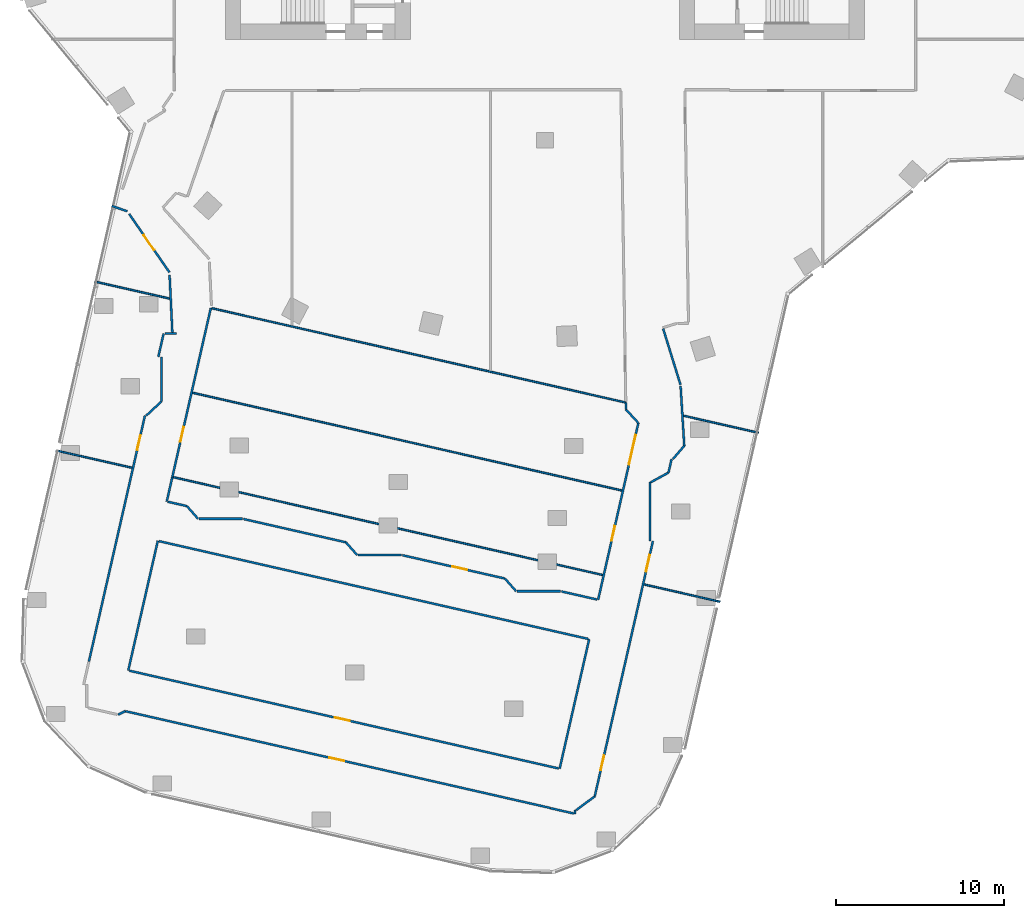
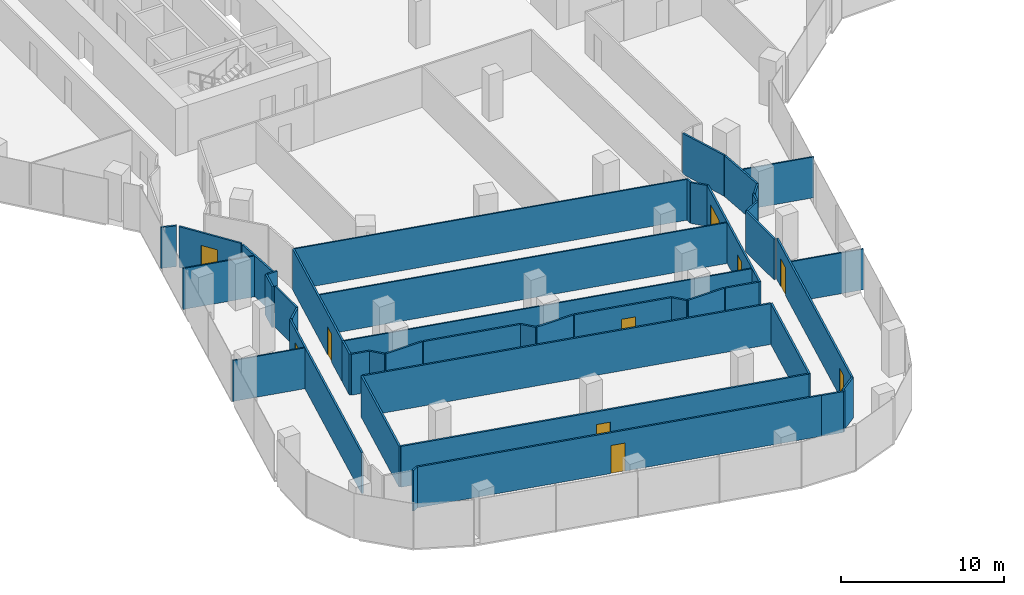
# One storey, part 18 of 24: 46 walls, 10 doors, 10 openings.
"""IFC4 building model written with IfcOpenShell, lengths in metres."""

from ifc_helpers import new_model, si_unit, direction, frame, frame_2d, origin, place, context, subcontext, project, spatial, rectangle, extrude, material, layer, layer_set, type_object, element, fill, save


model = new_model("IFC4")

# Units and contexts
model_context = context("Model", 3, precision=1e-05, world=origin(), true_north=direction((0.0, 1.0)))
body_context = subcontext(model_context, "Body", "Model", "MODEL_VIEW")
ifc_project = project(units=[si_unit("LENGTHUNIT", "METRE"), si_unit("AREAUNIT", "SQUARE_METRE"), si_unit("VOLUMEUNIT", "CUBIC_METRE"), si_unit("PLANEANGLEUNIT", "RADIAN"), si_unit("MASSUNIT", "GRAM", prefix="KILO")], contexts=[model_context])

# Site, building, storey
site_placement = place(None, origin())
site = spatial("IfcSite", under=ifc_project, at=site_placement, CompositionType="ELEMENT")
building_placement = place(site_placement, origin())
building = spatial("IfcBuilding", under=site, at=building_placement, Name="Orlundy Tower", CompositionType="ELEMENT")
storey_placement = place(building_placement, frame((0.0, 0.0, 174.10009765625)))
storey = spatial("IfcBuildingStorey", under=building, at=storey_placement, Name="L45", CompositionType="ELEMENT", Elevation=174.10009765625)

# Walls
ifc_material_1 = material(Name="Gypsum board partition")
ifc_layer_1 = layer(ifc_material_1, 0.10009765625)
ifc_layer_set_1 = layer_set([ifc_layer_1], Name="Floor partition 100")
wall_type_1 = type_object("IfcWallType", Name="Floor partition 100", PredefinedType="PARTITIONING", material=ifc_layer_set_1)
wall_1_placement = place(storey_placement, frame((-29.072998046875, -36.452880859375, 0.0), z_axis=(0.0, 0.0, 1.0), x_axis=(0.975041099452, -0.222024445455, 0.0)))
element("IfcWall", 1, at=wall_1_placement, inside=storey, type_object=wall_type_1, Name="wall-int-L45-023", PredefinedType="PARTITIONING", context=body_context, shape_type="SweptSolid", body=[
    extrude(rectangle(XDim=4.63037109375, YDim=0.10009765625, at=frame_2d((2.315185546875, 0.0))), origin(), (0.0, 0.0, 1.0), 3.059814453125),
])
wall_2_placement = place(storey_placement, frame((-22.094970703125, -38.04296875, 0.0), z_axis=(0.0, 0.0, 1.0), x_axis=(0.975023843859, -0.222100211404, 0.0)))
element("IfcWall", 2, at=wall_2_placement, inside=storey, type_object=wall_type_1, Name="wall-int-L45-024", PredefinedType="PARTITIONING", context=body_context, shape_type="SweptSolid", body=[
    extrude(rectangle(XDim=26.18603515625, YDim=0.10009765625, at=frame_2d((13.093017578125, 0.0))), origin(), (0.0, 0.0, 1.0), 3.059814453125),
])
wall_3_placement = place(storey_placement, frame((5.89990234375, -44.419921875, 0.0), z_axis=(0.0, 0.0, 1.0), x_axis=(0.975008438008, -0.222167832534, 0.0)))
element("IfcWall", 3, at=wall_3_placement, inside=storey, type_object=wall_type_1, Name="wall-int-L45-025", PredefinedType="PARTITIONING", context=body_context, shape_type="SweptSolid", body=[
    extrude(rectangle(XDim=4.6318359375, YDim=0.10009765625, at=frame_2d((2.31591796875, 0.0))), origin(), (0.0, 0.0, 1.0), 3.059814453125),
])
wall_4_placement = place(storey_placement, frame((-20.950927734375, -33.01904296875, 0.0), z_axis=(0.0, 0.0, 1.0), x_axis=(0.975025683381, -0.222092135715, 0.0)))
element("IfcWall", 4, at=wall_4_placement, inside=storey, type_object=wall_type_1, Name="wall-int-L45-026", PredefinedType="PARTITIONING", context=body_context, shape_type="SweptSolid", body=[
    extrude(rectangle(XDim=26.18701171875, YDim=0.10009765625, at=frame_2d((13.093505859375, 0.0))), origin(), (0.0, 0.0, 1.0), 3.059814453125),
])
wall_5_placement = place(storey_placement, frame((-26.783935546875, -26.404052734375, 0.0), z_axis=(0.0, 0.0, 1.0), x_axis=(0.975064044209, -0.221923657346, 0.0)))
element("IfcWall", 5, at=wall_5_placement, inside=storey, type_object=wall_type_1, Name="wall-int-L45-027", PredefinedType="PARTITIONING", context=body_context, shape_type="SweptSolid", body=[
    extrude(rectangle(XDim=4.56884765625, YDim=0.10009765625, at=frame_2d((2.284423828125, 0.0))), origin(), (0.0, 0.0, 1.0), 3.059814453125),
])
wall_6_placement = place(storey_placement, frame((-19.805908203125, -27.993896484375, 0.0), z_axis=(0.0, 0.0, 1.0), x_axis=(0.975005878079, -0.222179066769, 0.0)))
element("IfcWall", 6, at=wall_6_placement, inside=storey, type_object=wall_type_1, Name="wall-int-L45-028", PredefinedType="PARTITIONING", context=body_context, shape_type="SweptSolid", body=[
    extrude(rectangle(XDim=25.24609375, YDim=0.10009765625, at=frame_2d((12.623046875, 0.0))), origin(), (0.0, 0.0, 1.0), 3.059814453125),
])
wall_7_placement = place(storey_placement, frame((8.256103515625, -34.386962890625, 0.0), z_axis=(0.0, 0.0, 1.0), x_axis=(0.975047109618, -0.221998049597, 0.0)))
element("IfcWall", 7, at=wall_7_placement, inside=storey, type_object=wall_type_1, Name="wall-int-L45-029", PredefinedType="PARTITIONING", context=body_context, shape_type="SweptSolid", body=[
    extrude(rectangle(XDim=4.562744140625, YDim=0.10009765625, at=frame_2d((2.28125, 0.0))), origin(), (0.0, 0.0, 1.0), 3.059814453125),
])
ifc_material_2 = material(Name="Gypsum board partition, double layer")
ifc_layer_2 = layer(ifc_material_2, 0.125)
ifc_layer_set_2 = layer_set([ifc_layer_2], Name="Floor partition 125")
wall_type_2 = type_object("IfcWallType", Name="Floor partition 125", PredefinedType="PARTITIONING", material=ifc_layer_set_2)
wall_8_placement = place(storey_placement, frame((4.81298828125, -33.60205078125, 0.0), z_axis=(0.0, 0.0, 1.0), x_axis=(0.014888165056, -0.999889165128, 0.0)))
element("IfcWall", 8, at=wall_8_placement, inside=storey, type_object=wall_type_2, Name="wall-int-L45-002", PredefinedType="PARTITIONING", context=body_context, shape_type="SweptSolid", body=[
    extrude(rectangle(XDim=0.409912109375, YDim=0.125, at=frame_2d((0.205078125, 0.0))), origin(), (0.0, 0.0, 1.0), 3.059814453125),
])
wall_9_placement = place(storey_placement, frame((-22.322021484375, -26.007080078125, 0.0), z_axis=(0.0, 0.0, 1.0), x_axis=(0.048573949442, -0.998819589033, 0.0)))
element("IfcWall", 9, at=wall_9_placement, inside=storey, type_object=wall_type_2, Name="wall-int-L45-005", PredefinedType="PARTITIONING", context=body_context, shape_type="SweptSolid", body=[
    extrude(rectangle(XDim=3.43798828125, YDim=0.125, at=frame_2d((1.718994140625, 0.0))), origin(), (0.0, 0.0, 1.0), 3.059814453125),
])
wall_10_placement = place(storey_placement, frame((8.069091796875, -32.60888671875, 0.0), z_axis=(0.0, 0.0, 1.0), x_axis=(0.061565744527, -0.998103030303, 0.0)))
element("IfcWall", 10, at=wall_10_placement, inside=storey, type_object=wall_type_2, Name="wall-int-L45-007", PredefinedType="PARTITIONING", context=body_context, shape_type="SweptSolid", body=[
    extrude(rectangle(XDim=3.572998046875, YDim=0.125, at=frame_2d((1.78662109375, 0.0))), origin(), (0.0, 0.0, 1.0), 3.059814453125),
])
wall_11_placement = place(storey_placement, frame((7.033935546875, -29.2109375, 0.0), z_axis=(0.0, 0.0, 1.0), x_axis=(0.295358504145, -0.955386494582, 0.0)))
element("IfcWall", 11, at=wall_11_placement, inside=storey, type_object=wall_type_2, Name="wall-int-L45-008", PredefinedType="PARTITIONING", context=body_context, shape_type="SweptSolid", body=[
    extrude(rectangle(XDim=3.49072265625, YDim=0.125, at=frame_2d((1.745361328125, 0.0))), origin(), (0.0, 0.0, 1.0), 3.059814453125),
])

# Wall, opening, door
wall_12_placement = place(storey_placement, frame((-22.3291015625, -25.85693359375, 0.0), z_axis=(0.0, 0.0, 1.0), x_axis=(-0.567768105219, 0.823188543832, 0.0)))
wall_12 = element("IfcWall", 12, at=wall_12_placement, inside=storey, type_object=wall_type_2, Name="wall-int-L45-010", PredefinedType="PARTITIONING", context=body_context, shape_type="SweptSolid", body=[
    extrude(rectangle(XDim=4.219970703125, YDim=0.125, at=frame_2d((2.10986328125, 0.0))), origin(), (0.0, 0.0, 1.0), 3.059814453125),
])
opening_1_placement = place(wall_12_placement, frame((1.60009765625, 0.0, 0.0)))
opening_1 = element("IfcOpeningElement", 13, at=opening_1_placement, cuts=wall_12, Name="Opening 35112", PredefinedType="OPENING", context=body_context, shape_type="SweptSolid", body=[
    extrude(rectangle(XDim=1.10009765625, YDim=2.10009765625, at=frame_2d((0.550048828125, 1.050048828125))), frame((0.0, 0.072509765625, 0.0), z_axis=(0.0, -1.0, 0.0), x_axis=(1.0, 0.0, 0.0)), (0.0, 0.0, 1.0), 0.14501953125),
])
ifc_material_3 = material(Name="Timber door leaf", Category="wood")
door_type_1 = type_object("IfcDoorType", Name="Floor door xwide 1100 FD30S", OperationType="NOTDEFINED", PredefinedType="DOOR", material=ifc_material_3)
door_1_placement = place(opening_1_placement, origin())
door_1 = element("IfcDoor", 14, at=door_1_placement, inside=storey, type_object=door_type_1, Name="Door 35112", OperationType="SINGLE_SWING_RIGHT", OverallHeight=2.10009765625, OverallWidth=1.10009765625, PredefinedType="DOOR", context=body_context, shape_type="SweptSolid", body=[
    extrude(rectangle(XDim=1.10009765625, YDim=2.10009765625, at=frame_2d((0.550048828125, 1.050048828125))), frame((0.0, 0.02490234375, 0.0), z_axis=(0.0, -1.0, 0.0), x_axis=(1.0, 0.0, 0.0)), (0.0, 0.0, 1.0), 0.050048828125),
])
fill(opening_1, door_1)

# Walls
wall_13_placement = place(storey_placement, frame((-25.760009765625, -21.909912109375, 0.0), z_axis=(0.0, 0.0, 1.0), x_axis=(0.946161976611, -0.323693549544, 0.0)))
element("IfcWall", 15, at=wall_13_placement, inside=storey, type_object=wall_type_2, Name="wall-int-L45-013", PredefinedType="PARTITIONING", context=body_context, shape_type="SweptSolid", body=[
    extrude(rectangle(XDim=0.979736328125, YDim=0.125, at=frame_2d((0.48974609375, 0.0))), origin(), (0.0, 0.0, 1.0), 3.059814453125),
])
wall_14_placement = place(storey_placement, frame((0.342041015625, -57.72900390625, 0.0), z_axis=(0.0, 0.0, 1.0), x_axis=(0.975078596589, -0.22185970899, 0.0)))
element("IfcWall", 16, at=wall_14_placement, inside=storey, type_object=wall_type_2, Name="wall-int-L45-015", PredefinedType="PARTITIONING", context=body_context, shape_type="SweptSolid", body=[
    extrude(rectangle(XDim=1.4150390625, YDim=0.125, at=frame_2d((0.70751953125, 0.0))), origin(), (0.0, 0.0, 1.0), 3.059814453125),
])

# Wall, opening, door
wall_15_placement = place(storey_placement, frame((0.343994140625, -57.718994140625, 0.0), z_axis=(0.0, 0.0, 1.0), x_axis=(-0.97501877272, 0.222122472621, 0.0)))
wall_15 = element("IfcWall", 17, at=wall_15_placement, inside=storey, type_object=wall_type_2, Name="wall-int-L45-016", PredefinedType="PARTITIONING", context=body_context, shape_type="SweptSolid", body=[
    extrude(rectangle(XDim=25.94921875, YDim=0.125, at=frame_2d((12.974609375, 0.0))), origin(), (0.0, 0.0, 1.0), 3.059814453125),
])
opening_2_placement = place(wall_15_placement, frame((12.60009765625, 0.0, 0.0)))
opening_2 = element("IfcOpeningElement", 18, at=opening_2_placement, cuts=wall_15, Name="Opening 35106", PredefinedType="OPENING", context=body_context, shape_type="SweptSolid", body=[
    extrude(rectangle(XDim=0.89990234375, YDim=2.10009765625, at=frame_2d((0.449951171875, 1.050048828125))), frame((0.0, 0.072509765625, 0.0), z_axis=(0.0, -1.0, 0.0), x_axis=(1.0, 0.0, 0.0)), (0.0, 0.0, 1.0), 0.14501953125),
])
ifc_material_4 = material(Name="Timber door leaf", Category="wood")
door_type_2 = type_object("IfcDoorType", Name="Floor door single 900 FD30S", OperationType="NOTDEFINED", PredefinedType="DOOR", material=ifc_material_4)
door_2_placement = place(opening_2_placement, origin())
door_2 = element("IfcDoor", 19, at=door_2_placement, inside=storey, type_object=door_type_2, Name="Door 35106", OperationType="SINGLE_SWING_RIGHT", OverallHeight=2.10009765625, OverallWidth=0.89990234375, PredefinedType="DOOR", context=body_context, shape_type="SweptSolid", body=[
    extrude(rectangle(XDim=0.89990234375, YDim=2.10009765625, at=frame_2d((0.449951171875, 1.050048828125))), frame((0.0, 0.02490234375, 0.0), z_axis=(0.0, -1.0, 0.0), x_axis=(1.0, 0.0, 0.0)), (0.0, 0.0, 1.0), 0.050048828125),
])
fill(opening_2, door_2)

wall_16_placement = place(storey_placement, frame((-24.716064453125, -49.548095703125, 0.0), z_axis=(0.0, 0.0, 1.0), x_axis=(0.975023843859, -0.222100211404, 0.0)))
wall_16 = element("IfcWall", 20, at=wall_16_placement, inside=storey, type_object=wall_type_2, Name="wall-int-L45-017", PredefinedType="PARTITIONING", context=body_context, shape_type="SweptSolid", body=[
    extrude(rectangle(XDim=26.18603515625, YDim=0.125, at=frame_2d((13.093017578125, 0.0))), origin(), (0.0, 0.0, 1.0), 3.059814453125),
])
opening_3_placement = place(wall_16_placement, frame((12.53759765625, 0.0, 0.0)))
opening_3 = element("IfcOpeningElement", 21, at=opening_3_placement, cuts=wall_16, Name="Opening 35105", PredefinedType="OPENING", context=body_context, shape_type="SweptSolid", body=[
    extrude(rectangle(XDim=0.89990234375, YDim=2.10009765625, at=frame_2d((0.449951171875, 1.050048828125))), frame((0.0, 0.072509765625, 0.0), z_axis=(0.0, -1.0, 0.0), x_axis=(1.0, 0.0, 0.0)), (0.0, 0.0, 1.0), 0.14501953125),
])
door_3_placement = place(opening_3_placement, origin())
door_3 = element("IfcDoor", 22, at=door_3_placement, inside=storey, type_object=door_type_2, Name="Door 35105", OperationType="SINGLE_SWING_LEFT", OverallHeight=2.10009765625, OverallWidth=0.89990234375, PredefinedType="DOOR", context=body_context, shape_type="SweptSolid", body=[
    extrude(rectangle(XDim=0.89990234375, YDim=2.10009765625, at=frame_2d((0.449951171875, 1.050048828125))), frame((0.0, 0.02490234375, 0.0), z_axis=(0.0, -1.0, 0.0), x_axis=(1.0, 0.0, 0.0)), (0.0, 0.0, 1.0), 0.050048828125),
])
fill(opening_3, door_3)

# Walls
wall_17_placement = place(storey_placement, frame((-22.9609375, -41.843017578125, 0.0), z_axis=(0.0, 0.0, 1.0), x_axis=(0.975025683381, -0.222092135715, 0.0)))
element("IfcWall", 23, at=wall_17_placement, inside=storey, type_object=wall_type_2, Name="wall-int-L45-018", PredefinedType="PARTITIONING", context=body_context, shape_type="SweptSolid", body=[
    extrude(rectangle(XDim=26.18701171875, YDim=0.125, at=frame_2d((13.093505859375, 0.0))), origin(), (0.0, 0.0, 1.0), 3.059814453125),
])
wall_18_placement = place(storey_placement, frame((-22.427001953125, -39.501953125, 0.0), z_axis=(0.0, 0.0, 1.0), x_axis=(0.97511430892, -0.221702694026, 0.0)))
element("IfcWall", 24, at=wall_18_placement, inside=storey, type_object=wall_type_2, Name="wall-int-L45-019", PredefinedType="PARTITIONING", context=body_context, shape_type="SweptSolid", body=[
    extrude(rectangle(XDim=1.1640625, YDim=0.125, at=frame_2d((0.58203125, 0.0))), origin(), (0.0, 0.0, 1.0), 3.059814453125),
])
wall_19_placement = place(storey_placement, frame((-17.924072265625, -40.528076171875, 0.0), z_axis=(0.0, 0.0, 1.0), x_axis=(0.975041788435, -0.2220214197, 0.0)))
element("IfcWall", 25, at=wall_19_placement, inside=storey, type_object=wall_type_2, Name="wall-int-L45-020", PredefinedType="PARTITIONING", context=body_context, shape_type="SweptSolid", body=[
    extrude(rectangle(XDim=6.2470703125, YDim=0.125, at=frame_2d((3.12353515625, 0.0))), origin(), (0.0, 0.0, 1.0), 3.059814453125),
])

# Wall, opening, door
wall_20_placement = place(storey_placement, frame((-8.468994140625, -42.681884765625, 0.0), z_axis=(0.0, 0.0, 1.0), x_axis=(0.975048737106, -0.22199090132, 0.0)))
wall_20 = element("IfcWall", 26, at=wall_20_placement, inside=storey, type_object=wall_type_2, Name="wall-int-L45-021", PredefinedType="PARTITIONING", context=body_context, shape_type="SweptSolid", body=[
    extrude(rectangle(XDim=6.2490234375, YDim=0.125, at=frame_2d((3.12451171875, 0.0))), origin(), (0.0, 0.0, 1.0), 3.059814453125),
])
opening_4_placement = place(wall_20_placement, frame((3.03759765625, 0.0, 0.0)))
opening_4 = element("IfcOpeningElement", 27, at=opening_4_placement, cuts=wall_20, Name="Opening 35104", PredefinedType="OPENING", context=body_context, shape_type="SweptSolid", body=[
    extrude(rectangle(XDim=0.89990234375, YDim=2.10009765625, at=frame_2d((0.449951171875, 1.050048828125))), frame((0.0, 0.072509765625, 0.0), z_axis=(0.0, -1.0, 0.0), x_axis=(1.0, 0.0, 0.0)), (0.0, 0.0, 1.0), 0.14501953125),
])
door_4_placement = place(opening_4_placement, origin())
door_4 = element("IfcDoor", 28, at=door_4_placement, inside=storey, type_object=door_type_2, Name="Door 35104", OperationType="SINGLE_SWING_RIGHT", OverallHeight=2.10009765625, OverallWidth=0.89990234375, PredefinedType="DOOR", context=body_context, shape_type="SweptSolid", body=[
    extrude(rectangle(XDim=0.89990234375, YDim=2.10009765625, at=frame_2d((0.449951171875, 1.050048828125))), frame((0.0, 0.02490234375, 0.0), z_axis=(0.0, -1.0, 0.0), x_axis=(1.0, 0.0, 0.0)), (0.0, 0.0, 1.0), 0.050048828125),
])
fill(opening_4, door_4)

# Walls
wall_21_placement = place(storey_placement, frame((0.990966796875, -44.8369140625, 0.0), z_axis=(0.0, 0.0, 1.0), x_axis=(0.97505868901, -0.22194718513, 0.0)))
element("IfcWall", 29, at=wall_21_placement, inside=storey, type_object=wall_type_2, Name="wall-int-L45-022", PredefinedType="PARTITIONING", context=body_context, shape_type="SweptSolid", body=[
    extrude(rectangle(XDim=2.16796875, YDim=0.125, at=frame_2d((1.083984375, 0.0))), origin(), (0.0, 0.0, 1.0), 3.059814453125),
])
wall_22_placement = place(storey_placement, frame((1.861083984375, -57.842041015625, 0.0), z_axis=(0.0, 0.0, 1.0), x_axis=(0.803188576955, 0.595724860862, 0.0)))
element("IfcWall", 30, at=wall_22_placement, inside=storey, type_object=wall_type_2, Name="wall-int-L45-030", PredefinedType="PARTITIONING", context=body_context, shape_type="SweptSolid", body=[
    extrude(rectangle(XDim=1.373291015625, YDim=0.125, at=frame_2d((0.6865234375, 0.0))), origin(), (0.0, 0.0, 1.0), 3.059814453125),
])
wall_23_placement = place(storey_placement, frame((-1.65087890625, -44.822021484375, 0.0), z_axis=(0.0, 0.0, 1.0), x_axis=(1.0, 0.0, 0.0)))
element("IfcWall", 31, at=wall_23_placement, inside=storey, type_object=wall_type_2, Name="wall-int-L45-031", PredefinedType="PARTITIONING", context=body_context, shape_type="SweptSolid", body=[
    extrude(rectangle(XDim=2.580810546875, YDim=0.125, at=frame_2d((1.29052734375, 0.0))), origin(), (0.0, 0.0, 1.0), 3.059814453125),
])
wall_24_placement = place(storey_placement, frame((-11.10693359375, -42.6669921875, 0.0), z_axis=(0.0, 0.0, 1.0), x_axis=(1.0, 0.0, 0.0)))
element("IfcWall", 32, at=wall_24_placement, inside=storey, type_object=wall_type_2, Name="wall-int-L45-032", PredefinedType="PARTITIONING", context=body_context, shape_type="SweptSolid", body=[
    extrude(rectangle(XDim=2.576904296875, YDim=0.125, at=frame_2d((1.28857421875, 0.0))), origin(), (0.0, 0.0, 1.0), 3.059814453125),
])
wall_25_placement = place(storey_placement, frame((-20.56689453125, -40.512939453125, 0.0), z_axis=(0.0, 0.0, 1.0), x_axis=(1.0, 0.0, 0.0)))
element("IfcWall", 33, at=wall_25_placement, inside=storey, type_object=wall_type_2, Name="wall-int-L45-033", PredefinedType="PARTITIONING", context=body_context, shape_type="SweptSolid", body=[
    extrude(rectangle(XDim=2.581787109375, YDim=0.125, at=frame_2d((1.291015625, 0.0))), origin(), (0.0, 0.0, 1.0), 3.059814453125),
])
wall_26_placement = place(storey_placement, frame((6.302978515625, -38.342041015625, 0.0), z_axis=(0.0, 0.0, 1.0), x_axis=(0.877434318746, 0.479696796202, 0.0)))
element("IfcWall", 34, at=wall_26_placement, inside=storey, type_object=wall_type_2, Name="wall-int-L45-034", PredefinedType="PARTITIONING", context=body_context, shape_type="SweptSolid", body=[
    extrude(rectangle(XDim=1.194580078125, YDim=0.125, at=frame_2d((0.59716796875, 0.0))), origin(), (0.0, 0.0, 1.0), 3.059814453125),
])
wall_27_placement = place(storey_placement, frame((-23.708984375, -34.381103515625, 0.0), z_axis=(0.0, 0.0, 1.0), x_axis=(0.732207421562, 0.681081707147, 0.0)))
element("IfcWall", 35, at=wall_27_placement, inside=storey, type_object=wall_type_2, Name="wall-int-L45-035", PredefinedType="PARTITIONING", context=body_context, shape_type="SweptSolid", body=[
    extrude(rectangle(XDim=1.23193359375, YDim=0.125, at=frame_2d((0.615966796875, 0.0))), origin(), (0.0, 0.0, 1.0), 3.059814453125),
])
wall_28_placement = place(storey_placement, frame((-22.59912109375, -29.507080078125, 0.0), z_axis=(0.0, 0.0, 1.0), x_axis=(1.0, 0.0, 0.0)))
element("IfcWall", 36, at=wall_28_placement, inside=storey, type_object=wall_type_2, Name="wall-int-L45-036", PredefinedType="PARTITIONING", context=body_context, shape_type="SweptSolid", body=[
    extrude(rectangle(XDim=0.676025390625, YDim=0.125, at=frame_2d((0.337890625, 0.0))), origin(), (0.0, 0.0, 1.0), 3.059814453125),
])
wall_29_placement = place(storey_placement, frame((7.613037109375, -36.966064453125, 0.0), z_axis=(0.0, 0.0, 1.0), x_axis=(0.649689309886, 0.760199842554, 0.0)))
element("IfcWall", 37, at=wall_29_placement, inside=storey, type_object=wall_type_2, Name="wall-int-L45-049", PredefinedType="PARTITIONING", context=body_context, shape_type="SweptSolid", body=[
    extrude(rectangle(XDim=1.04052734375, YDim=0.125, at=frame_2d((0.520263671875, 0.0))), origin(), (0.0, 0.0, 1.0), 3.059814453125),
])
wall_30_placement = place(storey_placement, frame((4.820068359375, -34.012939453125, 0.0), z_axis=(0.0, 0.0, 1.0), x_axis=(0.676189811414, -0.736727452278, 0.0)))
element("IfcWall", 38, at=wall_30_placement, inside=storey, type_object=wall_type_2, Name="wall-int-L45-051", PredefinedType="PARTITIONING", context=body_context, shape_type="SweptSolid", body=[
    extrude(rectangle(XDim=1.093017578125, YDim=0.125, at=frame_2d((0.54638671875, 0.0))), origin(), (0.0, 0.0, 1.0), 3.059814453125),
])
wall_31_placement = place(storey_placement, frame((-25.376953125, -52.1669921875, 0.0), z_axis=(0.0, 0.0, 1.0), x_axis=(0.892760073249, 0.450532409058, 0.0)))
element("IfcWall", 39, at=wall_31_placement, inside=storey, type_object=wall_type_2, Name="wall-int-L45-059", PredefinedType="PARTITIONING", context=body_context, shape_type="SweptSolid", body=[
    extrude(rectangle(XDim=0.470458984375, YDim=0.125, at=frame_2d((0.2353515625, 0.0))), origin(), (0.0, 0.0, 1.0), 3.059814453125),
])

# Wall, openings, doors
wall_32_placement = place(storey_placement, frame((6.424072265625, -41.843994140625, 0.0), z_axis=(0.0, 0.0, 1.0), x_axis=(-0.222230368286, -0.974994186348, 0.0)))
wall_32 = element("IfcWall", 40, at=wall_32_placement, inside=storey, type_object=wall_type_2, Name="wall-int-L45-060", PredefinedType="PARTITIONING", context=body_context, shape_type="SweptSolid", body=[
    extrude(rectangle(XDim=15.5693359375, YDim=0.125, at=frame_2d((7.78466796875, 0.0))), origin(), (0.0, 0.0, 1.0), 3.059814453125),
])
opening_5_placement = place(wall_32_placement, frame((0.847900390625, 0.0, 0.0)))
opening_5 = element("IfcOpeningElement", 41, at=opening_5_placement, cuts=wall_32, Name="Opening 35100", PredefinedType="OPENING", context=body_context, shape_type="SweptSolid", body=[
    extrude(rectangle(XDim=1.0, YDim=2.10009765625, at=frame_2d((0.5, 1.050048828125))), frame((0.0, 0.072509765625, 0.0), z_axis=(0.0, -1.0, 0.0), x_axis=(1.0, 0.0, 0.0)), (0.0, 0.0, 1.0), 0.14501953125),
])
opening_6_placement = place(wall_32_placement, frame((13.07666015625, 0.0, 0.0)))
opening_6 = element("IfcOpeningElement", 42, at=opening_6_placement, cuts=wall_32, Name="Opening 35107", PredefinedType="OPENING", context=body_context, shape_type="SweptSolid", body=[
    extrude(rectangle(XDim=0.89990234375, YDim=2.10009765625, at=frame_2d((0.449951171875, 1.050048828125))), frame((0.0, 0.072509765625, 0.0), z_axis=(0.0, -1.0, 0.0), x_axis=(1.0, 0.0, 0.0)), (0.0, 0.0, 1.0), 0.14501953125),
])
door_5_placement = place(opening_6_placement, origin())
door_5 = element("IfcDoor", 43, at=door_5_placement, inside=storey, type_object=door_type_2, Name="Door 35107", OperationType="SINGLE_SWING_RIGHT", OverallHeight=2.10009765625, OverallWidth=0.89990234375, PredefinedType="DOOR", context=body_context, shape_type="SweptSolid", body=[
    extrude(rectangle(XDim=0.89990234375, YDim=2.10009765625, at=frame_2d((0.449951171875, 1.050048828125))), frame((0.0, 0.02490234375, 0.0), z_axis=(0.0, -1.0, 0.0), x_axis=(1.0, 0.0, 0.0)), (0.0, 0.0, 1.0), 0.050048828125),
])
fill(opening_6, door_5)
ifc_material_5 = material(Name="Timber door leaf", Category="wood")
door_type_3 = type_object("IfcDoorType", Name="Floor door wide 1000 FD30S", OperationType="NOTDEFINED", PredefinedType="DOOR", material=ifc_material_5)
door_6_placement = place(opening_5_placement, origin())
door_6 = element("IfcDoor", 44, at=door_6_placement, inside=storey, type_object=door_type_3, Name="Door 35100", OperationType="SINGLE_SWING_LEFT", OverallHeight=2.10009765625, OverallWidth=1.0, PredefinedType="DOOR", context=body_context, shape_type="SweptSolid", body=[
    extrude(rectangle(XDim=1.0, YDim=2.10009765625, at=frame_2d((0.5, 1.050048828125))), frame((0.0, 0.02490234375, 0.0), z_axis=(0.0, -1.0, 0.0), x_axis=(1.0, 0.0, 0.0)), (0.0, 0.0, 1.0), 0.050048828125),
])
fill(opening_5, door_6)

# Walls
wall_33_placement = place(storey_placement, frame((7.35107421875, -37.76904296875, 0.0), z_axis=(0.0, 0.0, 1.0), x_axis=(0.222043922605, 0.975036664149, 0.0)))
element("IfcWall", 45, at=wall_33_placement, inside=storey, type_object=wall_type_2, Name="wall-int-L45-061", PredefinedType="PARTITIONING", context=body_context, shape_type="SweptSolid", body=[
    extrude(rectangle(XDim=0.823486328125, YDim=0.125, at=frame_2d((0.41162109375, 0.0))), origin(), (0.0, 0.0, 1.0), 3.059814453125),
])
wall_34_placement = place(storey_placement, frame((0.876953125, -55.3779296875, 0.0), z_axis=(0.0, 0.0, 1.0), x_axis=(0.222196517333, 0.975001901375, 0.0)))
element("IfcWall", 46, at=wall_34_placement, inside=storey, type_object=wall_type_2, Name="wall-int-L45-062", PredefinedType="PARTITIONING", context=body_context, shape_type="SweptSolid", body=[
    extrude(rectangle(XDim=7.9033203125, YDim=0.125, at=frame_2d((3.95166015625, 0.0))), origin(), (0.0, 0.0, 1.0), 3.059814453125),
])

# Wall, openings, doors
wall_35_placement = place(storey_placement, frame((3.166015625, -45.33203125, 0.0), z_axis=(0.0, 0.0, 1.0), x_axis=(0.221933270953, 0.975061856112, 0.0)))
wall_35 = element("IfcWall", 47, at=wall_35_placement, inside=storey, type_object=wall_type_2, Name="wall-int-L45-063", PredefinedType="PARTITIONING", context=body_context, shape_type="SweptSolid", body=[
    extrude(rectangle(XDim=10.78271484375, YDim=0.125, at=frame_2d((5.391357421875, 0.0))), origin(), (0.0, 0.0, 1.0), 3.059814453125),
])
opening_7_placement = place(wall_35_placement, frame((8.2490234375, 0.0, 0.0)))
opening_7 = element("IfcOpeningElement", 48, at=opening_7_placement, cuts=wall_35, Name="Opening 35101", PredefinedType="OPENING", context=body_context, shape_type="SweptSolid", body=[
    extrude(rectangle(XDim=1.800048828125, YDim=2.10009765625, at=frame_2d((0.89990234375, 1.050048828125))), frame((0.0, 0.072509765625, 0.0), z_axis=(0.0, -1.0, 0.0), x_axis=(1.0, 0.0, 0.0)), (0.0, 0.0, 1.0), 0.14501953125),
])
opening_8_placement = place(wall_35_placement, frame((3.59619140625, 0.0, 0.0)))
opening_8 = element("IfcOpeningElement", 49, at=opening_8_placement, cuts=wall_35, Name="Opening 35103", PredefinedType="OPENING", context=body_context, shape_type="SweptSolid", body=[
    extrude(rectangle(XDim=0.89990234375, YDim=2.10009765625, at=frame_2d((0.449951171875, 1.050048828125))), frame((0.0, 0.072509765625, 0.0), z_axis=(0.0, -1.0, 0.0), x_axis=(1.0, 0.0, 0.0)), (0.0, 0.0, 1.0), 0.14501953125),
])
ifc_material_6 = material(Name="Timber door leaf", Category="wood")
door_type_4 = type_object("IfcDoorType", Name="Floor door double 1800 FD30S", OperationType="NOTDEFINED", PredefinedType="DOOR", material=ifc_material_6)
door_7_placement = place(opening_7_placement, origin())
door_7 = element("IfcDoor", 50, at=door_7_placement, inside=storey, type_object=door_type_4, Name="Door 35101", OperationType="DOUBLE_DOOR_SINGLE_SWING", OverallHeight=2.10009765625, OverallWidth=1.800048828125, PredefinedType="DOOR", context=body_context, shape_type="SweptSolid", body=[
    extrude(rectangle(XDim=1.800048828125, YDim=2.10009765625, at=frame_2d((0.89990234375, 1.050048828125))), frame((0.0, 0.02490234375, 0.0), z_axis=(0.0, -1.0, 0.0), x_axis=(1.0, 0.0, 0.0)), (0.0, 0.0, 1.0), 0.050048828125),
])
fill(opening_7, door_7)
door_8_placement = place(opening_8_placement, origin())
door_8 = element("IfcDoor", 51, at=door_8_placement, inside=storey, type_object=door_type_2, Name="Door 35103", OperationType="SINGLE_SWING_LEFT", OverallHeight=2.10009765625, OverallWidth=0.89990234375, PredefinedType="DOOR", context=body_context, shape_type="SweptSolid", body=[
    extrude(rectangle(XDim=0.89990234375, YDim=2.10009765625, at=frame_2d((0.449951171875, 1.050048828125))), frame((0.0, 0.02490234375, 0.0), z_axis=(0.0, -1.0, 0.0), x_axis=(1.0, 0.0, 0.0)), (0.0, 0.0, 1.0), 0.050048828125),
])
fill(opening_8, door_8)

# Wall
wall_36_placement = place(storey_placement, frame((-24.777099609375, -49.533935546875, 0.0), z_axis=(0.0, 0.0, 1.0), x_axis=(0.222163061165, 0.975009525212, 0.0)))
element("IfcWall", 52, at=wall_36_placement, inside=storey, type_object=wall_type_2, Name="wall-int-L45-064", PredefinedType="PARTITIONING", context=body_context, shape_type="SweptSolid", body=[
    extrude(rectangle(XDim=7.904541015625, YDim=0.125, at=frame_2d((3.9521484375, 0.0))), origin(), (0.0, 0.0, 1.0), 3.059814453125),
])

# Wall, opening, door
wall_37_placement = place(storey_placement, frame((-19.867919921875, -27.98193359375, 0.0), z_axis=(0.0, 0.0, 1.0), x_axis=(-0.222050161604, -0.975035243328, 0.0)))
wall_37 = element("IfcWall", 53, at=wall_37_placement, inside=storey, type_object=wall_type_2, Name="wall-int-L45-065", PredefinedType="PARTITIONING", context=body_context, shape_type="SweptSolid", body=[
    extrude(rectangle(XDim=10.304443359375, YDim=0.125, at=frame_2d((5.15234375, 0.0))), origin(), (0.0, 0.0, 1.0), 3.059814453125),
])
opening_9_placement = place(wall_37_placement, frame((7.251953125, 0.0, 0.0)))
opening_9 = element("IfcOpeningElement", 54, at=opening_9_placement, cuts=wall_37, Name="Opening 35102", PredefinedType="OPENING", context=body_context, shape_type="SweptSolid", body=[
    extrude(rectangle(XDim=0.89990234375, YDim=2.10009765625, at=frame_2d((0.449951171875, 1.050048828125))), frame((0.0, 0.072509765625, 0.0), z_axis=(0.0, -1.0, 0.0), x_axis=(1.0, 0.0, 0.0)), (0.0, 0.0, 1.0), 0.14501953125),
])
door_9_placement = place(opening_9_placement, origin())
door_9 = element("IfcDoor", 55, at=door_9_placement, inside=storey, type_object=door_type_2, Name="Door 35102", OperationType="SINGLE_SWING_RIGHT", OverallHeight=2.10009765625, OverallWidth=0.89990234375, PredefinedType="DOOR", context=body_context, shape_type="SweptSolid", body=[
    extrude(rectangle(XDim=0.89990234375, YDim=2.10009765625, at=frame_2d((0.449951171875, 1.050048828125))), frame((0.0, 0.02490234375, 0.0), z_axis=(0.0, -1.0, 0.0), x_axis=(1.0, 0.0, 0.0)), (0.0, 0.0, 1.0), 0.050048828125),
])
fill(opening_9, door_9)

# Wall
wall_38_placement = place(storey_placement, frame((-22.488037109375, -39.488037109375, 0.0), z_axis=(0.0, 0.0, 1.0), x_axis=(0.221903185503, 0.975068703356, 0.0)))
element("IfcWall", 56, at=wall_38_placement, inside=storey, type_object=wall_type_2, Name="wall-int-L45-066", PredefinedType="PARTITIONING", context=body_context, shape_type="SweptSolid", body=[
    extrude(rectangle(XDim=1.496337890625, YDim=0.125, at=frame_2d((0.748046875, 0.0))), origin(), (0.0, 0.0, 1.0), 3.059814453125),
])

# Wall, opening, door
wall_39_placement = place(storey_placement, frame((-27.117919921875, -49.0009765625, 0.0), z_axis=(0.0, 0.0, 1.0), x_axis=(0.222212898452, 0.974998168081, 0.0)))
wall_39 = element("IfcWall", 57, at=wall_39_placement, inside=storey, type_object=wall_type_2, Name="wall-int-L45-067", PredefinedType="PARTITIONING", context=body_context, shape_type="SweptSolid", body=[
    extrude(rectangle(XDim=14.994873046875, YDim=0.125, at=frame_2d((7.49755859375, 0.0))), origin(), (0.0, 0.0, 1.0), 3.059814453125),
])
opening_10_placement = place(wall_39_placement, frame((12.900634765625, 0.0, 0.0)))
opening_10 = element("IfcOpeningElement", 58, at=opening_10_placement, cuts=wall_39, Name="Opening 35108", PredefinedType="OPENING", context=body_context, shape_type="SweptSolid", body=[
    extrude(rectangle(XDim=0.89990234375, YDim=2.10009765625, at=frame_2d((0.449951171875, 1.050048828125))), frame((0.0, 0.072509765625, 0.0), z_axis=(0.0, -1.0, 0.0), x_axis=(1.0, 0.0, 0.0)), (0.0, 0.0, 1.0), 0.14501953125),
])
door_10_placement = place(opening_10_placement, origin())
door_10 = element("IfcDoor", 59, at=door_10_placement, inside=storey, type_object=door_type_2, Name="Door 35108", OperationType="SINGLE_SWING_RIGHT", OverallHeight=2.10009765625, OverallWidth=0.89990234375, PredefinedType="DOOR", context=body_context, shape_type="SweptSolid", body=[
    extrude(rectangle(XDim=0.89990234375, YDim=2.10009765625, at=frame_2d((0.449951171875, 1.050048828125))), frame((0.0, 0.02490234375, 0.0), z_axis=(0.0, -1.0, 0.0), x_axis=(1.0, 0.0, 0.0)), (0.0, 0.0, 1.0), 0.050048828125),
])
fill(opening_10, door_10)

# Walls
wall_40_placement = place(storey_placement, frame((-22.989990234375, -30.882080078125, 0.0), z_axis=(0.0, 0.0, 1.0), x_axis=(0.221950340639, 0.975057970733, 0.0)))
element("IfcWall", 60, at=wall_40_placement, inside=storey, type_object=wall_type_2, Name="wall-int-L45-068", PredefinedType="PARTITIONING", context=body_context, shape_type="SweptSolid", body=[
    extrude(rectangle(XDim=1.41015625, YDim=0.125, at=frame_2d((0.705078125, 0.0))), origin(), (0.0, 0.0, 1.0), 3.059814453125),
])
wall_41_placement = place(storey_placement, frame((6.240966796875, -41.841064453125, 0.0), z_axis=(0.0, 0.0, 1.0), x_axis=(0.0, 1.0, 0.0)))
element("IfcWall", 61, at=wall_41_placement, inside=storey, type_object=wall_type_2, Name="wall-int-L45-073", PredefinedType="PARTITIONING", context=body_context, shape_type="SweptSolid", body=[
    extrude(rectangle(XDim=3.4990234375, YDim=0.125, at=frame_2d((1.74951171875, 0.0))), origin(), (0.0, 0.0, 1.0), 3.059814453125),
])
wall_42_placement = place(storey_placement, frame((1.798095703125, -58.06005859375, 0.0), z_axis=(0.0, 0.0, 1.0), x_axis=(0.0, 1.0, 0.0)))
element("IfcWall", 62, at=wall_42_placement, inside=storey, type_object=wall_type_2, Name="wall-int-L45-075", PredefinedType="PARTITIONING", context=body_context, shape_type="SweptSolid", body=[
    extrude(rectangle(XDim=0.218017578125, YDim=0.125, at=frame_2d((0.10888671875, 0.0))), origin(), (0.0, 0.0, 1.0), 3.059814453125),
])
wall_43_placement = place(storey_placement, frame((-1.712890625, -44.822021484375, 0.0), z_axis=(0.0, 0.0, 1.0), x_axis=(-0.660913097692, 0.750462442298, 0.0)))
element("IfcWall", 63, at=wall_43_placement, inside=storey, type_object=wall_type_2, Name="wall-int-L45-077", PredefinedType="PARTITIONING", context=body_context, shape_type="SweptSolid", body=[
    extrude(rectangle(XDim=1.003173828125, YDim=0.125, at=frame_2d((0.50146484375, 0.0))), origin(), (0.0, 0.0, 1.0), 3.059814453125),
])
wall_44_placement = place(storey_placement, frame((-11.169921875, -42.6669921875, 0.0), z_axis=(0.0, 0.0, 1.0), x_axis=(-0.66139609203, 0.750036805395, 0.0)))
element("IfcWall", 64, at=wall_44_placement, inside=storey, type_object=wall_type_2, Name="wall-int-L45-079", PredefinedType="PARTITIONING", context=body_context, shape_type="SweptSolid", body=[
    extrude(rectangle(XDim=1.00244140625, YDim=0.125, at=frame_2d((0.501220703125, 0.0))), origin(), (0.0, 0.0, 1.0), 3.059814453125),
])
wall_45_placement = place(storey_placement, frame((-20.62890625, -40.512939453125, 0.0), z_axis=(0.0, 0.0, 1.0), x_axis=(-0.660913097692, 0.750462442298, 0.0)))
element("IfcWall", 65, at=wall_45_placement, inside=storey, type_object=wall_type_2, Name="wall-int-L45-082", PredefinedType="PARTITIONING", context=body_context, shape_type="SweptSolid", body=[
    extrude(rectangle(XDim=1.003173828125, YDim=0.125, at=frame_2d((0.50146484375, 0.0))), origin(), (0.0, 0.0, 1.0), 3.059814453125),
])
wall_46_placement = place(storey_placement, frame((-22.806884765625, -33.5419921875, 0.0), z_axis=(0.0, 0.0, 1.0), x_axis=(0.0, 1.0, 0.0)))
element("IfcWall", 66, at=wall_46_placement, inside=storey, type_object=wall_type_2, Name="wall-int-L45-084", PredefinedType="PARTITIONING", context=body_context, shape_type="SweptSolid", body=[
    extrude(rectangle(XDim=2.659912109375, YDim=0.125, at=frame_2d((1.330078125, 0.0))), origin(), (0.0, 0.0, 1.0), 3.059814453125),
])

save(model, "model.ifc")
